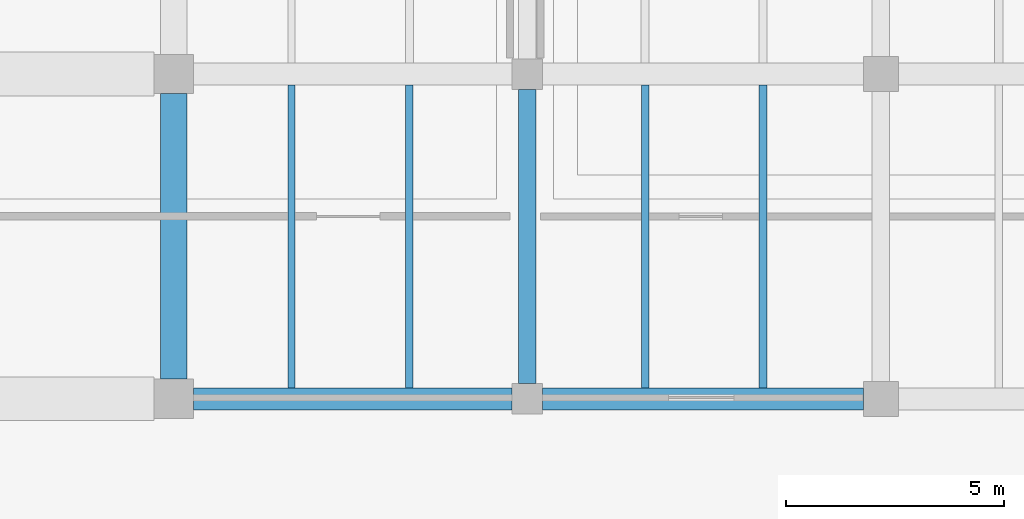
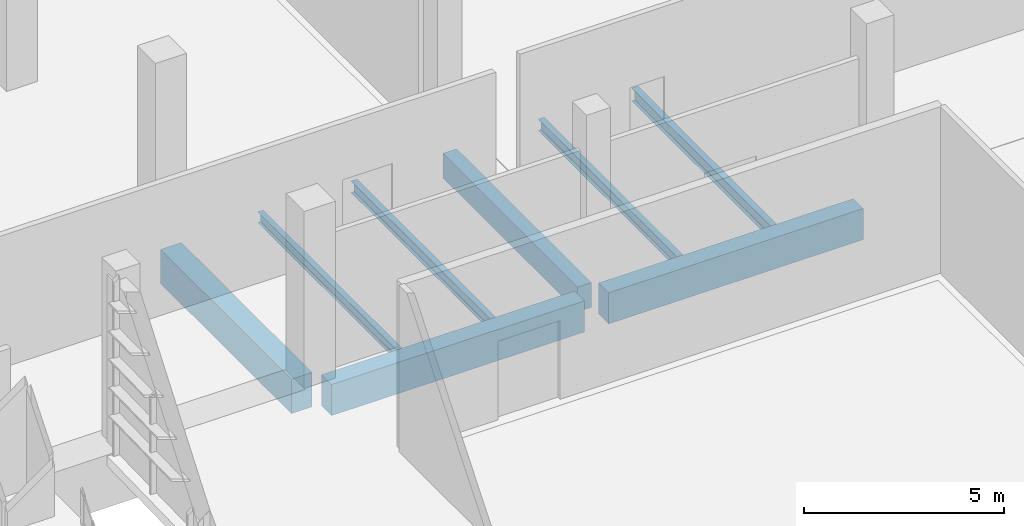
# One storey, part 198 of 372: 8 beams.
"""IFC4 building model written with IfcOpenShell, lengths in metres."""

import ifcopenshell
import ifcopenshell.guid

model = None  # the IFC model being written
_history = None  # IfcOwnerHistory: only IFC2X3 demands one
_inside = {}  # id of a spatial element -> (the spatial element, [elements in it])
_under = {}  # id of a project, library or spatial element -> (it, [spatial elements below it])
_declared = {}  # id of a project -> (the project, [libraries it declares])
_typed = {}  # id of a type object -> (the type object, [elements of that type])
_made_of = {}  # id of a material, layer set ... -> (it, [elements and type objects made of it])


def new_model(schema):
    """Start an empty IFC model of exactly this schema.

    Asked for "IFC4X3", IfcOpenShell would pick the latest addendum, in which some entities
    have other attributes; the version numbers below select the first issue.
    IFC2X3 requires an IfcOwnerHistory on every rooted entity: one is made here for all.
    """
    global model, _history
    if schema == "IFC4X3":
        model = ifcopenshell.file(schema_version=(4, 3, 0, 0))
    else:
        model = ifcopenshell.file(schema=schema)
    _inside.clear()
    _under.clear()
    _declared.clear()
    _typed.clear()
    _made_of.clear()
    _history = None
    if model.schema == "IFC2X3":
        org = make("IfcOrganization", Name="unknown")
        user = make(
            "IfcPersonAndOrganization",
            ThePerson=make("IfcPerson", FamilyName="unknown"),
            TheOrganization=org,
        )
        app = make(
            "IfcApplication",
            ApplicationDeveloper=org,
            Version="unknown",
            ApplicationFullName="unknown",
            ApplicationIdentifier="unknown",
        )
        _history = make(
            "IfcOwnerHistory",
            OwningUser=user,
            OwningApplication=app,
            ChangeAction="ADDED",
            CreationDate=0,
        )
    return model


def make(cls, **values):
    """One entity of the class cls with the attributes given. An attribute that is None is left unset."""
    return model.create_entity(
        cls, **{name: value for name, value in values.items() if value is not None}
    )


def rooted(cls, **values):
    """An entity with a GlobalId (a new one), such as an element, a storey or a relation."""
    return make(cls, GlobalId=ifcopenshell.guid.new(), OwnerHistory=_history, **values)


def si_unit(unit_type, name, prefix=None):
    """IfcSIUnit, for example si_unit("LENGTHUNIT", "METRE", prefix="MILLI")."""
    return make("IfcSIUnit", UnitType=unit_type, Prefix=prefix, Name=name)


def assignment(units):
    """IfcUnitAssignment: the units of a project."""
    return None if units is None else make("IfcUnitAssignment", Units=units)


def point(xyz):
    """IfcCartesianPoint."""
    return None if xyz is None else make("IfcCartesianPoint", Coordinates=xyz)


def direction(xyz):
    """IfcDirection."""
    return None if xyz is None else make("IfcDirection", DirectionRatios=xyz)


def frame(location, z_axis=None, x_axis=None):
    """IfcAxis2Placement3D, a coordinate frame: its origin and axes. An axis left out is left unset."""
    return make(
        "IfcAxis2Placement3D",
        Location=point(location),
        Axis=direction(z_axis),
        RefDirection=direction(x_axis),
    )


def frame_2d(location, x_axis=None):
    """IfcAxis2Placement2D, a coordinate frame in the plane: its origin and x axis."""
    return make(
        "IfcAxis2Placement2D", Location=point(location), RefDirection=direction(x_axis)
    )


def origin():
    """The frame at (0, 0, 0) with its axes left unset."""
    return frame((0.0, 0.0, 0.0))


def origin_2d():
    """The frame at (0, 0) in the plane with its x axis left unset."""
    return frame_2d((0.0, 0.0))


def place(relative_to, where):
    """IfcLocalPlacement: puts the frame where relative to a parent placement (None: the world)."""
    return make(
        "IfcLocalPlacement", PlacementRelTo=relative_to, RelativePlacement=where
    )


def context(
    kind, dimensions, precision=None, world=None, true_north=None, identifier=None
):
    """IfcGeometricRepresentationContext, for example the 3D "Model" context."""
    return make(
        "IfcGeometricRepresentationContext",
        ContextIdentifier=identifier,
        ContextType=kind,
        CoordinateSpaceDimension=dimensions,
        Precision=precision,
        WorldCoordinateSystem=world,
        TrueNorth=true_north,
    )


def subcontext(parent, identifier, kind, view, scale=None):
    """IfcGeometricRepresentationSubContext, for example "Body" below "Model"."""
    return make(
        "IfcGeometricRepresentationSubContext",
        ContextIdentifier=identifier,
        ContextType=kind,
        ParentContext=parent,
        TargetScale=scale,
        TargetView=view,
    )


def project(units=None, contexts=None):
    """IfcProject with its units and contexts."""
    return rooted(
        "IfcProject",
        Name="project",
        RepresentationContexts=contexts,
        UnitsInContext=assignment(units),
    )


def spatial(cls, under=None, at=None, **own):
    """A site, building, storey or space (cls), placed at a placement, below another one or the project."""
    s = rooted(cls, ObjectPlacement=at, **own)
    if under is not None:
        _under.setdefault(under.id(), (under, []))[1].append(s)
    return s


def profile(cls, at=None, kind="AREA", **sizes):
    """A parametric profile (cls). Its sizes go by their IFC names, for example OverallWidth=200.0."""
    return make(cls, ProfileType=kind, Position=at, **sizes)


def rectangle(**sizes):
    """IfcRectangleProfileDef."""
    return profile("IfcRectangleProfileDef", **sizes)


def i_section(**sizes):
    """IfcIShapeProfileDef."""
    return profile("IfcIShapeProfileDef", **sizes)


def extrude(swept, where, along, depth):
    """IfcExtrudedAreaSolid: the profile swept, set in the frame where, extruded along a direction by depth."""
    return make(
        "IfcExtrudedAreaSolid",
        SweptArea=swept,
        Position=where,
        ExtrudedDirection=direction(along),
        Depth=depth,
    )


def shape(context_of_items, identifier, shape_type, items):
    """IfcShapeRepresentation: the items that make up one representation, for example the "Body"."""
    return make(
        "IfcShapeRepresentation",
        ContextOfItems=context_of_items,
        RepresentationIdentifier=identifier,
        RepresentationType=shape_type,
        Items=items,
    )


def material(Name=None, Category=None):
    """IfcMaterial."""
    return make("IfcMaterial", Name=Name, Category=Category)


def material_profile(
    of_material, cross_section, Name=None, Category=None, Priority=None
):
    """IfcMaterialProfile: a cross section and its material."""
    return make(
        "IfcMaterialProfile",
        Name=Name,
        Material=of_material,
        Profile=cross_section,
        Priority=Priority,
        Category=Category,
    )


def profile_set(profiles, Name=None, composite=None):
    """IfcMaterialProfileSet."""
    return make(
        "IfcMaterialProfileSet",
        Name=Name,
        MaterialProfiles=profiles,
        CompositeProfile=composite,
    )


def made_of(thing, what):
    """Note that an element or type object is made of a material, layer set ...; save() writes the relation."""
    if what is not None:
        _made_of.setdefault(what.id(), (what, []))[1].append(thing)
    return thing


def type_object(cls, material=None, **own):
    """A type object (cls), such as IfcWallType, which elements share."""
    return made_of(rooted(cls, **own), material)


def element(
    cls,
    number,
    at=None,
    inside=None,
    cuts=None,
    type_object=None,
    material=None,
    context=None,
    identifier="Body",
    shape_type=None,
    held_by="IfcProductDefinitionShape",
    body=None,
    shapes=None,
    **own,
):
    """One element of the class cls, such as IfcWall. Its Tag is "e" and its number.

    at: its placement. inside: the storey or other place that contains it. cuts: it is an
    opening in that element (IfcRelVoidsElement). A single representation is given by context,
    identifier, shape_type and body (its items); several are given by shapes. held_by: the class
    of the entity that holds the representations. save() writes the other relations.
    """
    e = rooted(cls, Tag="e%d" % number, ObjectPlacement=at, **own)
    if body is not None:
        shapes = [shape(context, identifier, shape_type, body)]
    if shapes is not None:
        e.Representation = make(held_by, Representations=shapes)
    if inside is not None:
        _inside.setdefault(inside.id(), (inside, []))[1].append(e)
    if cuts is not None:
        rooted(
            "IfcRelVoidsElement", RelatingBuildingElement=cuts, RelatedOpeningElement=e
        )
    if type_object is not None:
        _typed.setdefault(type_object.id(), (type_object, []))[1].append(e)
    return made_of(e, material)


def aggregate(whole, parts):
    """IfcRelAggregates: a whole, such as a stair, and the parts it consists of."""
    return rooted("IfcRelAggregates", RelatingObject=whole, RelatedObjects=parts)


def save(model, path):
    """Write the relations noted so far, then the file.

    IfcRelAggregates (storeys below a building ...), IfcRelContainedInSpatialStructure (elements
    in a storey), IfcRelDefinesByType, IfcRelAssociatesMaterial and IfcRelDeclares: one each for
    every whole, place, type object, material and project.
    """
    for whole, parts in _under.values():
        aggregate(whole, parts)
    for where, things in _inside.values():
        rooted(
            "IfcRelContainedInSpatialStructure",
            RelatedElements=things,
            RelatingStructure=where,
        )
    for kind, things in _typed.values():
        rooted("IfcRelDefinesByType", RelatedObjects=things, RelatingType=kind)
    for what, things in _made_of.values():
        rooted("IfcRelAssociatesMaterial", RelatedObjects=things, RelatingMaterial=what)
    for by, libraries in _declared.values():
        rooted("IfcRelDeclares", RelatingContext=by, RelatedDefinitions=libraries)
    model.write(path)


model = new_model("IFC4")

# Units and contexts
model_context = context("Model", 3, precision=1e-05, world=origin(), true_north=direction((0.0, 1.0)))
body_context = subcontext(model_context, "Body", "Model", "MODEL_VIEW")
ifc_project = project(units=[si_unit("LENGTHUNIT", "METRE"), si_unit("AREAUNIT", "SQUARE_METRE"), si_unit("VOLUMEUNIT", "CUBIC_METRE"), si_unit("PLANEANGLEUNIT", "RADIAN"), si_unit("MASSUNIT", "GRAM", prefix="KILO")], contexts=[model_context])

# Site, building, storey
site_placement = place(None, origin())
site = spatial("IfcSite", under=ifc_project, at=site_placement, CompositionType="ELEMENT")
building_placement = place(site_placement, origin())
building = spatial("IfcBuilding", under=site, at=building_placement, Name="Kaelora Sail Theatre", CompositionType="ELEMENT")
storey_placement = place(building_placement, origin())
storey = spatial("IfcBuildingStorey", under=building, at=storey_placement, Name="L00", CompositionType="ELEMENT", Elevation=0.0)

# Beams
ifc_material_1 = material(Name="Concrete C40/50", Category="concrete")
ifc_material_profile_1 = material_profile(ifc_material_1, rectangle(XDim=0.39990234375, YDim=0.75, at=origin_2d()), Name="RC-BM 400x750")
ifc_profile_set_1 = profile_set([ifc_material_profile_1], Name="Concrete C40/50")
beam_type_1 = type_object("IfcBeamType", Name="STR-BM-BM-RC4075", PredefinedType="BEAM", material=ifc_profile_set_1)
beam_1_placement = place(storey_placement, frame((90.60009765625, 61.3701171875, -0.695068359375), z_axis=(0.0, 1.0, 0.0), x_axis=(-1.0, 0.0, 0.0)))
element("IfcBeam", 1, at=beam_1_placement, inside=storey, type_object=beam_type_1, Name="Primary beam 12 I-J (L00)", PredefinedType="BEAM", context=body_context, shape_type="SweptSolid", body=[
    extrude(rectangle(XDim=0.39990234375, YDim=0.75, at=origin_2d()), origin(), (0.0, 0.0, 1.0), 6.739990234375),
])
ifc_material_2 = material(Name="Concrete C45/55", Category="concrete")
ifc_material_profile_2 = material_profile(ifc_material_2, rectangle(XDim=0.5, YDim=0.949951171875, at=origin_2d()), Name="RC-GRD 500x950")
ifc_profile_set_2 = profile_set([ifc_material_profile_2], Name="Concrete C45/55")
beam_type_2 = type_object("IfcBeamType", Name="STR-BM-GR-RC5095", PredefinedType="T_BEAM", material=ifc_profile_set_2)
beam_2_placement = place(storey_placement, frame((82.949951171875, 61.02001953125, -0.794921875), z_axis=(1.0, 0.0, 0.0), x_axis=(0.0, 1.0, 0.0)))
element("IfcBeam", 2, at=beam_2_placement, inside=storey, type_object=beam_type_2, Name="Primary beam I 11-12 (L00)", PredefinedType="T_BEAM", context=body_context, shape_type="SweptSolid", body=[
    extrude(rectangle(XDim=0.5, YDim=0.949951171875, at=origin_2d()), origin(), (0.0, 0.0, 1.0), 7.300048828125),
])
beam_3_placement = place(storey_placement, frame((90.949951171875, 61.02001953125, -0.794921875), z_axis=(1.0, 0.0, 0.0), x_axis=(0.0, 1.0, 0.0)))
element("IfcBeam", 3, at=beam_3_placement, inside=storey, type_object=beam_type_2, Name="Primary beam I 12-13 (L00)", PredefinedType="T_BEAM", context=body_context, shape_type="SweptSolid", body=[
    extrude(rectangle(XDim=0.5, YDim=0.949951171875, at=origin_2d()), origin(), (0.0, 0.0, 1.0), 7.35009765625),
])
ifc_material_3 = material(Name="Concrete C50/60", Category="concrete")
ifc_material_profile_3 = material_profile(ifc_material_3, rectangle(XDim=0.60009765625, YDim=1.050048828125, at=origin_2d()), Name="RC-GRD 600x1050")
ifc_profile_set_3 = profile_set([ifc_material_profile_3], Name="Concrete C50/60")
beam_type_3 = type_object("IfcBeamType", Name="STR-BM-GR-RC6105", PredefinedType="T_BEAM", material=ifc_profile_set_3)
beam_4_placement = place(storey_placement, frame((82.5, 61.469970703125, -0.844970703125), z_axis=(0.0, 1.0, 0.0), x_axis=(-1.0, 0.0, 0.0)))
element("IfcBeam", 4, at=beam_4_placement, inside=storey, type_object=beam_type_3, Name="Primary beam 11 I-J (L00)", PredefinedType="T_BEAM", context=body_context, shape_type="SweptSolid", body=[
    extrude(rectangle(XDim=0.60009765625, YDim=1.050048828125, at=origin_2d()), origin(), (0.0, 0.0, 1.0), 6.5400390625),
])
ifc_material_4 = material(Name="Steel S355", Category="steel")
ifc_material_profile_4 = material_profile(ifc_material_4, i_section(OverallWidth=0.159912109375, OverallDepth=0.330078125, WebThickness=0.007568359375, FlangeThickness=0.011474609375, FilletRadius=0.01806640625, at=origin_2d()), Name="IPE 330")
ifc_profile_set_4 = profile_set([ifc_material_profile_4], Name="Steel S355")
beam_type_4 = type_object("IfcBeamType", Name="STR-BM-JS-IPE330", PredefinedType="JOIST", material=ifc_profile_set_4)
beam_5_placement = place(storey_placement, frame((85.199951171875, 61.27001953125, -0.485107421875), z_axis=(0.0, 1.0, 0.0), x_axis=(-1.0, 0.0, 0.0)))
element("IfcBeam", 5, at=beam_5_placement, inside=storey, type_object=beam_type_4, Name="Secondary floor joist 11/I-1 (L00)", PredefinedType="JOIST", context=body_context, shape_type="SweptSolid", body=[
    extrude(i_section(OverallWidth=0.159912109375, OverallDepth=0.330078125, WebThickness=0.007568359375, FlangeThickness=0.011474609375, FilletRadius=0.01806640625, at=origin_2d()), origin(), (0.0, 0.0, 1.0), 6.93994140625),
])
ifc_material_5 = material(Name="Steel S355", Category="steel")
ifc_material_profile_5 = material_profile(ifc_material_5, i_section(OverallWidth=0.169921875, OverallDepth=0.360107421875, WebThickness=0.008056640625, FlangeThickness=0.0126953125, FilletRadius=0.01806640625, at=origin_2d()), Name="IPE 360")
ifc_profile_set_5 = profile_set([ifc_material_profile_5], Name="Steel S355")
beam_type_5 = type_object("IfcBeamType", Name="STR-BM-JS-IPE360", PredefinedType="JOIST", material=ifc_profile_set_5)
for number, where, z_axis, x_axis, name in (
    (6, (87.89990234375, 61.27001953125, -0.5), (0.0, 1.0, 0.0), (-1.0, 0.0, 0.0), "Secondary floor joist 11/I-2 (L00)"),
    (7, (93.300048828125, 61.27001953125, -0.5), (0.0, 1.0, 0.0), (-1.0, 0.0, 0.0), "Secondary floor joist 12/I-1 (L00)"),
):
    element("IfcBeam", number, at=place(storey_placement, frame(where, z_axis=z_axis, x_axis=x_axis)), inside=storey, type_object=beam_type_5, Name=name, PredefinedType="JOIST", context=body_context, shape_type="SweptSolid", body=[
        extrude(i_section(OverallWidth=0.169921875, OverallDepth=0.360107421875, WebThickness=0.008056640625, FlangeThickness=0.0126953125, FilletRadius=0.01806640625, at=origin_2d()), origin(), (0.0, 0.0, 1.0), 6.93994140625),
    ])
ifc_material_6 = material(Name="Steel S355", Category="steel")
ifc_material_profile_6 = material_profile(ifc_material_6, i_section(OverallWidth=0.179931640625, OverallDepth=0.39990234375, WebThickness=0.008544921875, FlangeThickness=0.013427734375, FilletRadius=0.02099609375, at=origin_2d()), Name="IPE 400")
ifc_profile_set_6 = profile_set([ifc_material_profile_6], Name="Steel S355")
beam_type_6 = type_object("IfcBeamType", Name="STR-BM-JS-IPE400", PredefinedType="JOIST", material=ifc_profile_set_6)
beam_6_placement = place(storey_placement, frame((96.0, 61.27001953125, -0.52001953125), z_axis=(0.0, 1.0, 0.0), x_axis=(-1.0, 0.0, 0.0)))
element("IfcBeam", 8, at=beam_6_placement, inside=storey, type_object=beam_type_6, Name="Secondary floor joist 12/I-2 (L00)", PredefinedType="JOIST", context=body_context, shape_type="SweptSolid", body=[
    extrude(i_section(OverallWidth=0.179931640625, OverallDepth=0.39990234375, WebThickness=0.008544921875, FlangeThickness=0.013427734375, FilletRadius=0.02099609375, at=origin_2d()), origin(), (0.0, 0.0, 1.0), 6.93994140625),
])

save(model, "model.ifc")
